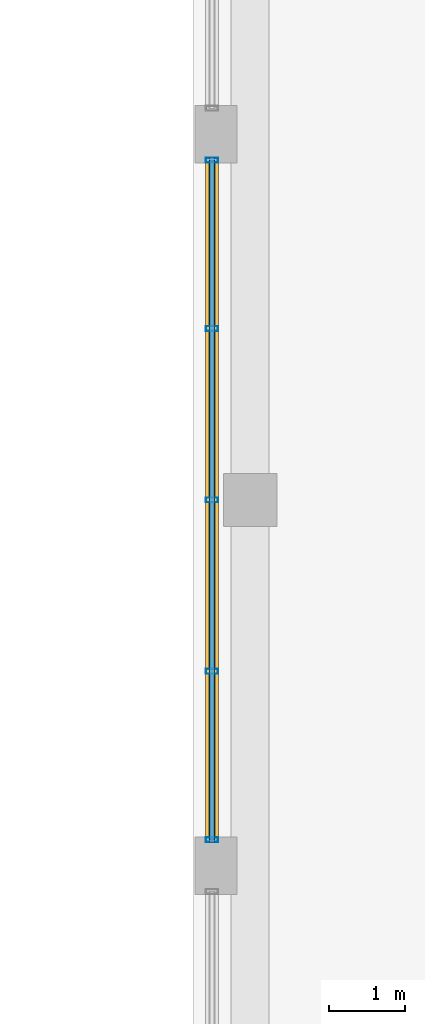
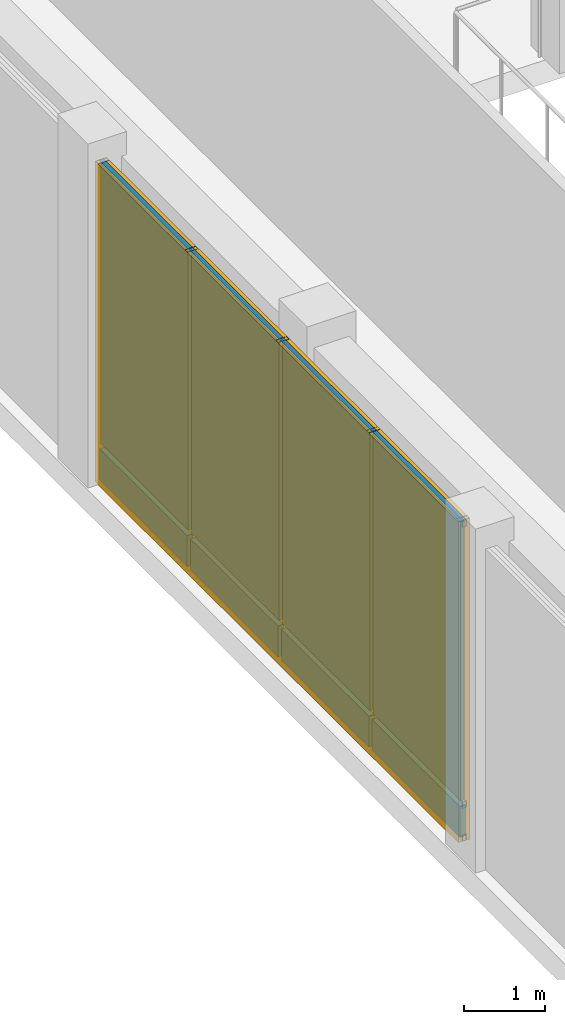
# One storey, part 15 of 22: 8 members, 8 plates, 1 curtain wall.
"""IFC4 building model written with IfcOpenShell, lengths in metres."""

from ifc_helpers import new_model, si_unit, direction, frame, frame_2d, origin, origin_2d, place, context, subcontext, project, spatial, rectangle, hollow_rectangle, extrude, material, layer, layer_set, material_profile, profile_set, type_object, element, aggregate, save


model = new_model("IFC4")

# Units and contexts
model_context = context("Model", 3, precision=1e-05, world=origin(), true_north=direction((0.0, 1.0)))
body_context = subcontext(model_context, "Body", "Model", "MODEL_VIEW")
ifc_project = project(units=[si_unit("LENGTHUNIT", "METRE"), si_unit("AREAUNIT", "SQUARE_METRE"), si_unit("VOLUMEUNIT", "CUBIC_METRE"), si_unit("PLANEANGLEUNIT", "RADIAN"), si_unit("MASSUNIT", "GRAM", prefix="KILO")], contexts=[model_context])

# Member
ifc_material_1 = material(Name="Anodized Aluminium 6063-T6", Category="aluminium")
ifc_material_profile_1 = material_profile(ifc_material_1, hollow_rectangle(XDim=0.06494140625, YDim=0.159912109375, WallThickness=0.00390625, at=origin_2d()), Name="Anodized Aluminium 6063-T6")
ifc_profile_set_1 = profile_set([ifc_material_profile_1], Name="Anodized Aluminium 6063-T6")
member_type_1 = type_object("IfcMemberType", Name="Curtain Wall Mullion 160", PredefinedType="MULLION", material=ifc_profile_set_1)
site_placement = place(None, origin())
building_placement = place(site_placement, origin())
storey_placement = place(building_placement, frame((0.0, 0.0, 5.199951171875)))
member_1_placement = place(storey_placement, frame((85.449951171875, 24.340087890625, 0.0), z_axis=(0.0, 0.0, 1.0), x_axis=(0.0, 1.0, 0.0)))
member_1 = element("IfcMember", 1, at=member_1_placement, type_object=member_type_1, Name="Curtain Wall Mullion CW-L01-LCOL-3-M01", PredefinedType="MULLION", context=body_context, shape_type="SweptSolid", body=[
    extrude(hollow_rectangle(XDim=0.06494140625, YDim=0.159912109375, WallThickness=0.00390625, at=origin_2d()), origin(), (0.0, 0.0, 1.0), 4.85009765625),
])

member_2_placement = place(storey_placement, frame((85.449951171875, 26.550048828125, 0.0), z_axis=(0.0, 0.0, 1.0), x_axis=(0.0, 1.0, 0.0)))
member_2 = element("IfcMember", 2, at=member_2_placement, type_object=member_type_1, Name="Curtain Wall Mullion CW-L01-LCOL-3-M02", PredefinedType="MULLION", context=body_context, shape_type="SweptSolid", body=[
    extrude(hollow_rectangle(XDim=0.06494140625, YDim=0.159912109375, WallThickness=0.00390625, at=origin_2d()), origin(), (0.0, 0.0, 1.0), 4.85009765625),
])

member_3_placement = place(storey_placement, frame((85.449951171875, 28.800048828125, 0.0), z_axis=(0.0, 0.0, 1.0), x_axis=(0.0, 1.0, 0.0)))
member_3 = element("IfcMember", 3, at=member_3_placement, type_object=member_type_1, Name="Curtain Wall Mullion CW-L01-LCOL-3-M03", PredefinedType="MULLION", context=body_context, shape_type="SweptSolid", body=[
    extrude(hollow_rectangle(XDim=0.06494140625, YDim=0.159912109375, WallThickness=0.00390625, at=origin_2d()), origin(), (0.0, 0.0, 1.0), 4.85009765625),
])

member_4_placement = place(storey_placement, frame((85.449951171875, 31.050048828125, 0.0), z_axis=(0.0, 0.0, 1.0), x_axis=(0.0, 1.0, 0.0)))
member_4 = element("IfcMember", 4, at=member_4_placement, type_object=member_type_1, Name="Curtain Wall Mullion CW-L01-LCOL-3-M04", PredefinedType="MULLION", context=body_context, shape_type="SweptSolid", body=[
    extrude(hollow_rectangle(XDim=0.06494140625, YDim=0.159912109375, WallThickness=0.00390625, at=origin_2d()), origin(), (0.0, 0.0, 1.0), 4.85009765625),
])

member_5_placement = place(storey_placement, frame((85.449951171875, 33.260009765625, 0.0), z_axis=(0.0, 0.0, 1.0), x_axis=(0.0, 1.0, 0.0)))
member_5 = element("IfcMember", 5, at=member_5_placement, type_object=member_type_1, Name="Curtain Wall Mullion CW-L01-LCOL-3-M05", PredefinedType="MULLION", context=body_context, shape_type="SweptSolid", body=[
    extrude(hollow_rectangle(XDim=0.06494140625, YDim=0.159912109375, WallThickness=0.00390625, at=origin_2d()), origin(), (0.0, 0.0, 1.0), 4.85009765625),
])

ifc_material_profile_2 = material_profile(ifc_material_1, hollow_rectangle(XDim=0.06005859375, YDim=0.10009765625, WallThickness=0.0029296875, at=origin_2d()), Name="Anodized Aluminium 6063-T6")
ifc_profile_set_2 = profile_set([ifc_material_profile_2], Name="Anodized Aluminium 6063-T6")
member_type_2 = type_object("IfcMemberType", Name="Curtain Wall Transom 100", PredefinedType="USERDEFINED", material=ifc_profile_set_2)
member_6_placement = place(storey_placement, frame((85.449951171875, 24.300048828125, 0.050048828125), z_axis=(0.0, 1.0, 0.0), x_axis=(-1.0, 0.0, 0.0)))
member_6 = element("IfcMember", 6, at=member_6_placement, type_object=member_type_2, Name="Curtain Wall Transom CW-L01-LCOL-3-T01", ObjectType="TRANSOM", PredefinedType="USERDEFINED", context=body_context, shape_type="SweptSolid", body=[
    extrude(hollow_rectangle(XDim=0.06005859375, YDim=0.10009765625, WallThickness=0.0029296875, at=origin_2d()), origin(), (0.0, 0.0, 1.0), 9.0),
])

member_7_placement = place(storey_placement, frame((85.449951171875, 24.300048828125, 0.550048828125), z_axis=(0.0, 1.0, 0.0), x_axis=(-1.0, 0.0, 0.0)))
member_7 = element("IfcMember", 7, at=member_7_placement, type_object=member_type_2, Name="Curtain Wall Transom CW-L01-LCOL-3-T02", ObjectType="TRANSOM", PredefinedType="USERDEFINED", context=body_context, shape_type="SweptSolid", body=[
    extrude(hollow_rectangle(XDim=0.06005859375, YDim=0.10009765625, WallThickness=0.0029296875, at=origin_2d()), origin(), (0.0, 0.0, 1.0), 9.0),
])

member_8_placement = place(storey_placement, frame((85.449951171875, 24.300048828125, 4.800048828125), z_axis=(0.0, 1.0, 0.0), x_axis=(-1.0, 0.0, 0.0)))
member_8 = element("IfcMember", 8, at=member_8_placement, type_object=member_type_2, Name="Curtain Wall Transom CW-L01-LCOL-3-T03", ObjectType="TRANSOM", PredefinedType="USERDEFINED", context=body_context, shape_type="SweptSolid", body=[
    extrude(hollow_rectangle(XDim=0.06005859375, YDim=0.10009765625, WallThickness=0.0029296875, at=origin_2d()), origin(), (0.0, 0.0, 1.0), 9.0),
])

# Plate
ifc_material_2 = material(Name="Bird-Friendly Fritted Triple Glazing", Category="glass")
ifc_layer_1 = layer(ifc_material_2, 0.052001953125, Name="Bird-Friendly Fritted Triple Glazing")
ifc_layer_set_1 = layer_set([ifc_layer_1], Name="Bird-Friendly Fritted Triple Glazing")
plate_type_1 = type_object("IfcPlateType", Name="Plate CWGlazing 52", PredefinedType="CURTAIN_PANEL", material=ifc_layer_set_1)
plate_1_placement = place(storey_placement, frame((85.449951171875, 25.425048828125, 0.58984375), z_axis=(0.0, 0.0, 1.0), x_axis=(0.0, 1.0, 0.0)))
plate_1 = element("IfcPlate", 9, at=plate_1_placement, type_object=plate_type_1, Name="Vision Glazing Panel CW-L01-LCOL-3-GL01", PredefinedType="CURTAIN_PANEL", context=body_context, shape_type="SweptSolid", body=[
    extrude(rectangle(XDim=2.169921875, YDim=0.052001953125, at=origin_2d()), origin(), (0.0, 0.0, 1.0), 4.219970703125),
])

plate_2_placement = place(storey_placement, frame((85.449951171875, 27.675048828125, 0.58984375), z_axis=(0.0, 0.0, 1.0), x_axis=(0.0, 1.0, 0.0)))
plate_2 = element("IfcPlate", 10, at=plate_2_placement, type_object=plate_type_1, Name="Vision Glazing Panel CW-L01-LCOL-3-GL02", PredefinedType="CURTAIN_PANEL", context=body_context, shape_type="SweptSolid", body=[
    extrude(rectangle(XDim=2.169921875, YDim=0.052001953125, at=origin_2d()), origin(), (0.0, 0.0, 1.0), 4.219970703125),
])

plate_3_placement = place(storey_placement, frame((85.449951171875, 29.925048828125, 0.58984375), z_axis=(0.0, 0.0, 1.0), x_axis=(0.0, 1.0, 0.0)))
plate_3 = element("IfcPlate", 11, at=plate_3_placement, type_object=plate_type_1, Name="Vision Glazing Panel CW-L01-LCOL-3-GL03", PredefinedType="CURTAIN_PANEL", context=body_context, shape_type="SweptSolid", body=[
    extrude(rectangle(XDim=2.169921875, YDim=0.052001953125, at=origin_2d()), origin(), (0.0, 0.0, 1.0), 4.219970703125),
])

plate_4_placement = place(storey_placement, frame((85.449951171875, 32.175048828125, 0.58984375), z_axis=(0.0, 0.0, 1.0), x_axis=(0.0, 1.0, 0.0)))
plate_4 = element("IfcPlate", 12, at=plate_4_placement, type_object=plate_type_1, Name="Vision Glazing Panel CW-L01-LCOL-3-GL04", PredefinedType="CURTAIN_PANEL", context=body_context, shape_type="SweptSolid", body=[
    extrude(rectangle(XDim=2.169921875, YDim=0.052001953125, at=origin_2d()), origin(), (0.0, 0.0, 1.0), 4.219970703125),
])

ifc_material_3 = material(Name="Insulated Aluminium Spandrel Panel", Category="aluminium")
ifc_layer_2 = layer(ifc_material_3, 0.080078125, Name="Insulated Aluminium Spandrel Panel")
ifc_layer_set_2 = layer_set([ifc_layer_2], Name="Insulated Aluminium Spandrel Panel")
plate_type_2 = type_object("IfcPlateType", Name="Plate CWSpandrel 80", PredefinedType="SHEET", material=ifc_layer_set_2)
plate_5_placement = place(storey_placement, frame((85.449951171875, 25.425048828125, 0.0400390625), z_axis=(0.0, 0.0, 1.0), x_axis=(0.0, 1.0, 0.0)))
plate_5 = element("IfcPlate", 13, at=plate_5_placement, type_object=plate_type_2, Name="Spandrel Panel CW-L01-LCOL-3-SP01", PredefinedType="SHEET", context=body_context, shape_type="SweptSolid", body=[
    extrude(rectangle(XDim=2.169921875, YDim=0.080078125, at=origin_2d()), origin(), (0.0, 0.0, 1.0), 0.469970703125),
])

plate_6_placement = place(storey_placement, frame((85.449951171875, 27.675048828125, 0.0400390625), z_axis=(0.0, 0.0, 1.0), x_axis=(0.0, 1.0, 0.0)))
plate_6 = element("IfcPlate", 14, at=plate_6_placement, type_object=plate_type_2, Name="Spandrel Panel CW-L01-LCOL-3-SP02", PredefinedType="SHEET", context=body_context, shape_type="SweptSolid", body=[
    extrude(rectangle(XDim=2.169921875, YDim=0.080078125, at=origin_2d()), origin(), (0.0, 0.0, 1.0), 0.469970703125),
])

plate_7_placement = place(storey_placement, frame((85.449951171875, 29.925048828125, 0.0400390625), z_axis=(0.0, 0.0, 1.0), x_axis=(0.0, 1.0, 0.0)))
plate_7 = element("IfcPlate", 15, at=plate_7_placement, type_object=plate_type_2, Name="Spandrel Panel CW-L01-LCOL-3-SP03", PredefinedType="SHEET", context=body_context, shape_type="SweptSolid", body=[
    extrude(rectangle(XDim=2.169921875, YDim=0.080078125, at=origin_2d()), origin(), (0.0, 0.0, 1.0), 0.469970703125),
])

plate_8_placement = place(storey_placement, frame((85.449951171875, 32.175048828125, 0.0400390625), z_axis=(0.0, 0.0, 1.0), x_axis=(0.0, 1.0, 0.0)))
plate_8 = element("IfcPlate", 16, at=plate_8_placement, type_object=plate_type_2, Name="Spandrel Panel CW-L01-LCOL-3-SP04", PredefinedType="SHEET", context=body_context, shape_type="SweptSolid", body=[
    extrude(rectangle(XDim=2.169921875, YDim=0.080078125, at=origin_2d()), origin(), (0.0, 0.0, 1.0), 0.469970703125),
])

# Site, building, storey
site = spatial("IfcSite", under=ifc_project, at=site_placement, CompositionType="ELEMENT")
building = spatial("IfcBuilding", under=site, at=building_placement, Name="Norrvale University Quadrangle", CompositionType="ELEMENT")
storey = spatial("IfcBuildingStorey", under=building, at=storey_placement, Name="L01", CompositionType="ELEMENT", Elevation=5.199951171875)

# Curtain wall
ifc_material_4 = material(Name="Anodized Aluminium and Triple Glazing", Category="glass")
curtain_wall_type = type_object("IfcCurtainWallType", Name="Curtain Wall System 5 Lib Colonnade", PredefinedType="NOTDEFINED", material=ifc_material_4)
curtain_wall_placement = place(storey_placement, frame((85.449951171875, 24.300048828125, 0.0), z_axis=(0.0, 0.0, 1.0), x_axis=(0.0, 1.0, 0.0)))
curtain_wall = element("IfcCurtainWall", 17, at=curtain_wall_placement, inside=storey, type_object=curtain_wall_type, Name="Curtain Wall CW System 5 Lib Colonnade CW-L01-LCOL-3", PredefinedType="NOTDEFINED", context=body_context, shape_type="SweptSolid", body=[
    extrude(rectangle(XDim=9.0, YDim=0.1650390625, at=frame_2d((4.5, 0.0))), origin(), (0.0, 0.0, 1.0), 4.85009765625),
])

aggregate(curtain_wall, [member_1, member_2, member_3, member_4, member_5, member_6, member_7, member_8, plate_5, plate_1, plate_6, plate_2, plate_7, plate_3, plate_8, plate_4])

save(model, "model.ifc")
